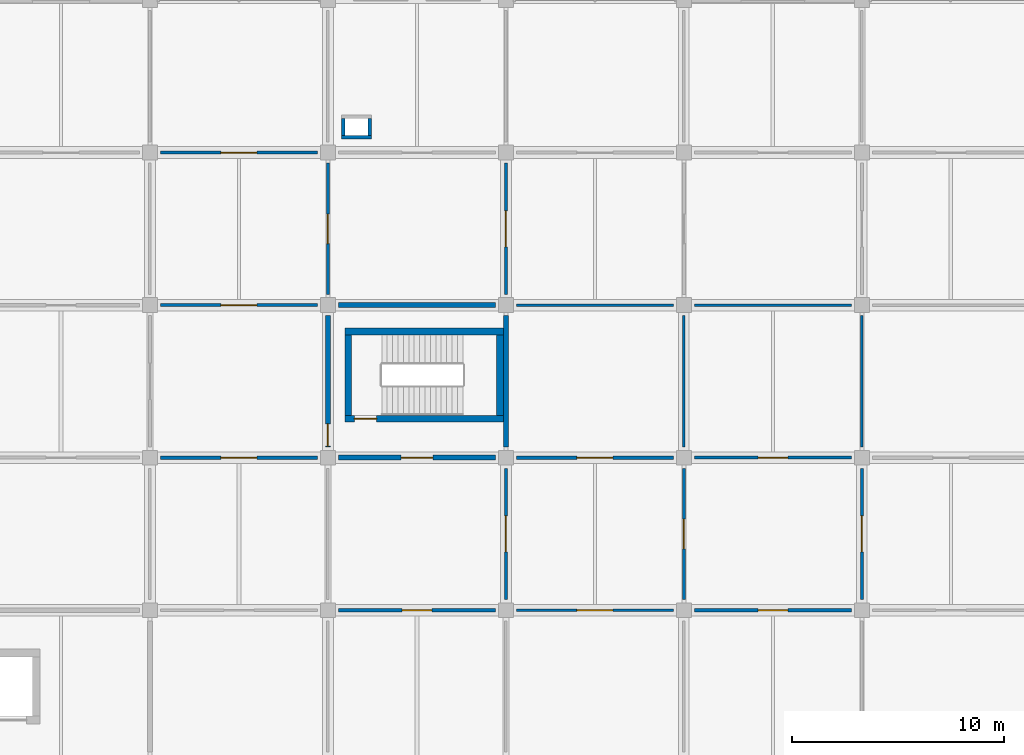
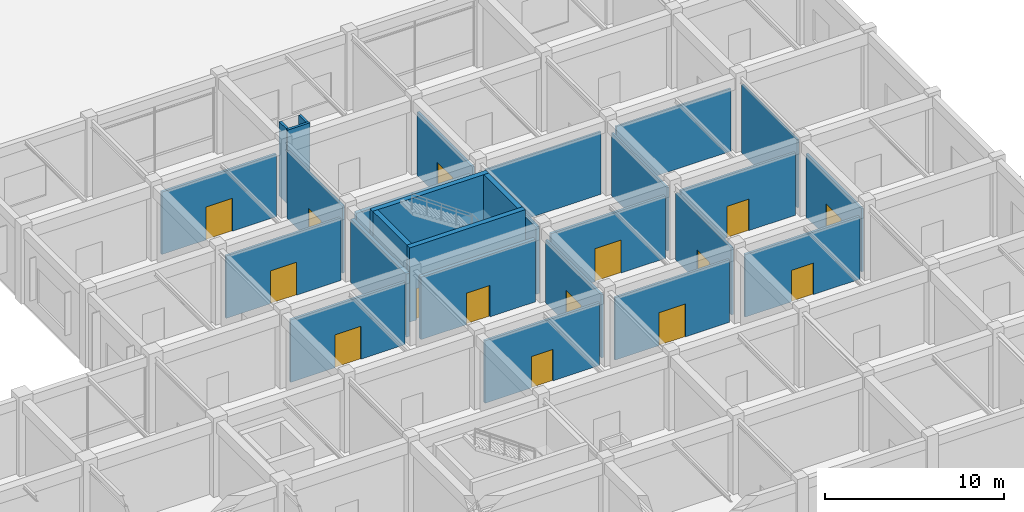
# One storey, part 29 of 41: 28 walls, 16 doors, 16 openings.
"""IFC4 building model written with IfcOpenShell, lengths in metres."""

import ifcopenshell
import ifcopenshell.guid

model = None  # the IFC model being written
_history = None  # IfcOwnerHistory: only IFC2X3 demands one
_inside = {}  # id of a spatial element -> (the spatial element, [elements in it])
_under = {}  # id of a project, library or spatial element -> (it, [spatial elements below it])
_declared = {}  # id of a project -> (the project, [libraries it declares])
_typed = {}  # id of a type object -> (the type object, [elements of that type])
_made_of = {}  # id of a material, layer set ... -> (it, [elements and type objects made of it])


def new_model(schema):
    """Start an empty IFC model of exactly this schema.

    Asked for "IFC4X3", IfcOpenShell would pick the latest addendum, in which some entities
    have other attributes; the version numbers below select the first issue.
    IFC2X3 requires an IfcOwnerHistory on every rooted entity: one is made here for all.
    """
    global model, _history
    if schema == "IFC4X3":
        model = ifcopenshell.file(schema_version=(4, 3, 0, 0))
    else:
        model = ifcopenshell.file(schema=schema)
    _inside.clear()
    _under.clear()
    _declared.clear()
    _typed.clear()
    _made_of.clear()
    _history = None
    if model.schema == "IFC2X3":
        org = make("IfcOrganization", Name="unknown")
        user = make(
            "IfcPersonAndOrganization",
            ThePerson=make("IfcPerson", FamilyName="unknown"),
            TheOrganization=org,
        )
        app = make(
            "IfcApplication",
            ApplicationDeveloper=org,
            Version="unknown",
            ApplicationFullName="unknown",
            ApplicationIdentifier="unknown",
        )
        _history = make(
            "IfcOwnerHistory",
            OwningUser=user,
            OwningApplication=app,
            ChangeAction="ADDED",
            CreationDate=0,
        )
    return model


def make(cls, **values):
    """One entity of the class cls with the attributes given. An attribute that is None is left unset."""
    return model.create_entity(
        cls, **{name: value for name, value in values.items() if value is not None}
    )


def rooted(cls, **values):
    """An entity with a GlobalId (a new one), such as an element, a storey or a relation."""
    return make(cls, GlobalId=ifcopenshell.guid.new(), OwnerHistory=_history, **values)


def si_unit(unit_type, name, prefix=None):
    """IfcSIUnit, for example si_unit("LENGTHUNIT", "METRE", prefix="MILLI")."""
    return make("IfcSIUnit", UnitType=unit_type, Prefix=prefix, Name=name)


def derived_unit(unit_type, elements):
    """IfcDerivedUnit: a product of units, each with its exponent."""
    return make(
        "IfcDerivedUnit",
        Elements=[
            make("IfcDerivedUnitElement", Unit=unit, Exponent=power)
            for unit, power in elements
        ],
        UnitType=unit_type,
    )


def assignment(units):
    """IfcUnitAssignment: the units of a project."""
    return None if units is None else make("IfcUnitAssignment", Units=units)


def point(xyz):
    """IfcCartesianPoint."""
    return None if xyz is None else make("IfcCartesianPoint", Coordinates=xyz)


def direction(xyz):
    """IfcDirection."""
    return None if xyz is None else make("IfcDirection", DirectionRatios=xyz)


def frame(location, z_axis=None, x_axis=None):
    """IfcAxis2Placement3D, a coordinate frame: its origin and axes. An axis left out is left unset."""
    return make(
        "IfcAxis2Placement3D",
        Location=point(location),
        Axis=direction(z_axis),
        RefDirection=direction(x_axis),
    )


def frame_2d(location, x_axis=None):
    """IfcAxis2Placement2D, a coordinate frame in the plane: its origin and x axis."""
    return make(
        "IfcAxis2Placement2D", Location=point(location), RefDirection=direction(x_axis)
    )


def origin():
    """The frame at (0, 0, 0) with its axes left unset."""
    return frame((0.0, 0.0, 0.0))


def place(relative_to, where):
    """IfcLocalPlacement: puts the frame where relative to a parent placement (None: the world)."""
    return make(
        "IfcLocalPlacement", PlacementRelTo=relative_to, RelativePlacement=where
    )


def context(
    kind, dimensions, precision=None, world=None, true_north=None, identifier=None
):
    """IfcGeometricRepresentationContext, for example the 3D "Model" context."""
    return make(
        "IfcGeometricRepresentationContext",
        ContextIdentifier=identifier,
        ContextType=kind,
        CoordinateSpaceDimension=dimensions,
        Precision=precision,
        WorldCoordinateSystem=world,
        TrueNorth=true_north,
    )


def subcontext(parent, identifier, kind, view, scale=None):
    """IfcGeometricRepresentationSubContext, for example "Body" below "Model"."""
    return make(
        "IfcGeometricRepresentationSubContext",
        ContextIdentifier=identifier,
        ContextType=kind,
        ParentContext=parent,
        TargetScale=scale,
        TargetView=view,
    )


def project(units=None, contexts=None):
    """IfcProject with its units and contexts."""
    return rooted(
        "IfcProject",
        Name="project",
        RepresentationContexts=contexts,
        UnitsInContext=assignment(units),
    )


def spatial(cls, under=None, at=None, **own):
    """A site, building, storey or space (cls), placed at a placement, below another one or the project."""
    s = rooted(cls, ObjectPlacement=at, **own)
    if under is not None:
        _under.setdefault(under.id(), (under, []))[1].append(s)
    return s


def profile(cls, at=None, kind="AREA", **sizes):
    """A parametric profile (cls). Its sizes go by their IFC names, for example OverallWidth=200.0."""
    return make(cls, ProfileType=kind, Position=at, **sizes)


def rectangle(**sizes):
    """IfcRectangleProfileDef."""
    return profile("IfcRectangleProfileDef", **sizes)


def extrude(swept, where, along, depth):
    """IfcExtrudedAreaSolid: the profile swept, set in the frame where, extruded along a direction by depth."""
    return make(
        "IfcExtrudedAreaSolid",
        SweptArea=swept,
        Position=where,
        ExtrudedDirection=direction(along),
        Depth=depth,
    )


def shape(context_of_items, identifier, shape_type, items):
    """IfcShapeRepresentation: the items that make up one representation, for example the "Body"."""
    return make(
        "IfcShapeRepresentation",
        ContextOfItems=context_of_items,
        RepresentationIdentifier=identifier,
        RepresentationType=shape_type,
        Items=items,
    )


def material(Name=None, Category=None):
    """IfcMaterial."""
    return make("IfcMaterial", Name=Name, Category=Category)


def layer(
    of_material, thickness, ventilated=None, Name=None, Category=None, Priority=None
):
    """IfcMaterialLayer: one layer of a wall or slab, of a material (None: an air gap)."""
    return make(
        "IfcMaterialLayer",
        Material=of_material,
        LayerThickness=thickness,
        IsVentilated=ventilated,
        Name=Name,
        Category=Category,
        Priority=Priority,
    )


def layer_set(layers, Name=None):
    """IfcMaterialLayerSet."""
    return make("IfcMaterialLayerSet", MaterialLayers=layers, LayerSetName=Name)


def made_of(thing, what):
    """Note that an element or type object is made of a material, layer set ...; save() writes the relation."""
    if what is not None:
        _made_of.setdefault(what.id(), (what, []))[1].append(thing)
    return thing


def type_object(cls, material=None, **own):
    """A type object (cls), such as IfcWallType, which elements share."""
    return made_of(rooted(cls, **own), material)


def element(
    cls,
    number,
    at=None,
    inside=None,
    cuts=None,
    type_object=None,
    material=None,
    context=None,
    identifier="Body",
    shape_type=None,
    held_by="IfcProductDefinitionShape",
    body=None,
    shapes=None,
    **own,
):
    """One element of the class cls, such as IfcWall. Its Tag is "e" and its number.

    at: its placement. inside: the storey or other place that contains it. cuts: it is an
    opening in that element (IfcRelVoidsElement). A single representation is given by context,
    identifier, shape_type and body (its items); several are given by shapes. held_by: the class
    of the entity that holds the representations. save() writes the other relations.
    """
    e = rooted(cls, Tag="e%d" % number, ObjectPlacement=at, **own)
    if body is not None:
        shapes = [shape(context, identifier, shape_type, body)]
    if shapes is not None:
        e.Representation = make(held_by, Representations=shapes)
    if inside is not None:
        _inside.setdefault(inside.id(), (inside, []))[1].append(e)
    if cuts is not None:
        rooted(
            "IfcRelVoidsElement", RelatingBuildingElement=cuts, RelatedOpeningElement=e
        )
    if type_object is not None:
        _typed.setdefault(type_object.id(), (type_object, []))[1].append(e)
    return made_of(e, material)


def fill(opening, filler):
    """IfcRelFillsElement: the door or window that sits in an opening."""
    return rooted(
        "IfcRelFillsElement",
        RelatingOpeningElement=opening,
        RelatedBuildingElement=filler,
    )


def aggregate(whole, parts):
    """IfcRelAggregates: a whole, such as a stair, and the parts it consists of."""
    return rooted("IfcRelAggregates", RelatingObject=whole, RelatedObjects=parts)


def save(model, path):
    """Write the relations noted so far, then the file.

    IfcRelAggregates (storeys below a building ...), IfcRelContainedInSpatialStructure (elements
    in a storey), IfcRelDefinesByType, IfcRelAssociatesMaterial and IfcRelDeclares: one each for
    every whole, place, type object, material and project.
    """
    for whole, parts in _under.values():
        aggregate(whole, parts)
    for where, things in _inside.values():
        rooted(
            "IfcRelContainedInSpatialStructure",
            RelatedElements=things,
            RelatingStructure=where,
        )
    for kind, things in _typed.values():
        rooted("IfcRelDefinesByType", RelatedObjects=things, RelatingType=kind)
    for what, things in _made_of.values():
        rooted("IfcRelAssociatesMaterial", RelatedObjects=things, RelatingMaterial=what)
    for by, libraries in _declared.values():
        rooted("IfcRelDeclares", RelatingContext=by, RelatedDefinitions=libraries)
    model.write(path)


model = new_model("IFC4")

# Units and contexts
model_context = context("Model", 3, precision=1e-05, world=origin(), true_north=direction((0.0, 1.0)))
body_context = subcontext(model_context, "Body", "Model", "MODEL_VIEW")
ifc_project = project(units=[si_unit("LENGTHUNIT", "METRE"), si_unit("AREAUNIT", "SQUARE_METRE"), si_unit("VOLUMEUNIT", "CUBIC_METRE"), si_unit("PLANEANGLEUNIT", "RADIAN"), si_unit("MASSUNIT", "GRAM", prefix="KILO"), derived_unit("THERMALTRANSMITTANCEUNIT", [(si_unit("MASSUNIT", "GRAM", prefix="KILO"), 1), (si_unit("TIMEUNIT", "SECOND"), -3), (si_unit("THERMODYNAMICTEMPERATUREUNIT", "KELVIN"), -1)])], contexts=[model_context])

# Site, building, storey
site_placement = place(None, origin())
site = spatial("IfcSite", under=ifc_project, at=site_placement, CompositionType="ELEMENT")
building_placement = place(site_placement, origin())
building = spatial("IfcBuilding", under=site, at=building_placement, Name="Veldstrom Oceanarium and Marine Research Institute", CompositionType="ELEMENT")
storey_placement = place(building_placement, frame((0.0, 0.0, 6.0)))
storey = spatial("IfcBuildingStorey", under=building, at=storey_placement, Name="L01", CompositionType="ELEMENT", Elevation=6.0)

# Wall, opening, door
ifc_material_1 = material(Name="Masonry Fire Compartment Wall", Category="masonry")
ifc_layer_1 = layer(ifc_material_1, 0.22998046875)
ifc_layer_set_1 = layer_set([ifc_layer_1], Name="ARC-WAL-PT1")
wall_type_1 = type_object("IfcWallType", Name="ARC-WAL-PT1", PredefinedType="PARTITIONING", material=ifc_layer_set_1)
wall_1_placement = place(storey_placement, frame((134.39990234375, 72.5, 0.0), z_axis=(0.0, 0.0, 1.0), x_axis=(0.0, 1.0, 0.0)))
wall_1 = element("IfcWall", 1, at=wall_1_placement, inside=storey, type_object=wall_type_1, Name="Interior Partition PT1 L01-1006", PredefinedType="PARTITIONING", context=body_context, shape_type="SweptSolid", body=[
    extrude(rectangle(XDim=6.199951171875, YDim=0.22998046875, at=frame_2d((3.10009765625, 0.0))), origin(), (0.0, 0.0, 1.0), 4.320068359375),
])
opening_1_placement = place(wall_1_placement, frame((0.050048828125, 0.0, 0.0)))
opening_1 = element("IfcOpeningElement", 2, at=opening_1_placement, cuts=wall_1, Name="Opening D-L01-583", PredefinedType="OPENING", context=body_context, shape_type="SweptSolid", body=[
    extrude(rectangle(XDim=1.050048828125, YDim=2.14990234375, at=frame_2d((0.52490234375, 1.074951171875))), frame((0.0, 0.125, 0.0), z_axis=(0.0, -1.0, 0.0), x_axis=(1.0, 0.0, 0.0)), (0.0, 0.0, 1.0), 0.25),
])
ifc_material_2 = material(Name="Painted Steel Fire Door", Category="steel")
door_type_1 = type_object("IfcDoorType", Name="ARC-DOR-SD1", OperationType="SINGLE_SWING_LEFT", PredefinedType="DOOR", material=ifc_material_2)
door_1_placement = place(opening_1_placement, origin())
door_1 = element("IfcDoor", 3, at=door_1_placement, inside=storey, type_object=door_type_1, Name="Interior Door D-L01-583", OperationType="SINGLE_SWING_LEFT", OverallHeight=2.14990234375, OverallWidth=1.050048828125, PredefinedType="DOOR", context=body_context, shape_type="SweptSolid", body=[
    extrude(rectangle(XDim=1.050048828125, YDim=2.14990234375, at=frame_2d((0.52490234375, 1.074951171875))), frame((0.0, 0.02490234375, 0.0), z_axis=(0.0, -1.0, 0.0), x_axis=(1.0, 0.0, 0.0)), (0.0, 0.0, 1.0), 0.050048828125),
])
fill(opening_1, door_1)

wall_2_placement = place(storey_placement, frame((134.89990234375, 72.0, 0.0), z_axis=(0.0, 0.0, 1.0), x_axis=(1.0, 0.0, 0.0)))
wall_2 = element("IfcWall", 4, at=wall_2_placement, inside=storey, type_object=wall_type_1, Name="Interior Partition PT1 L01-1018", PredefinedType="PARTITIONING", context=body_context, shape_type="SweptSolid", body=[
    extrude(rectangle(XDim=7.400146484375, YDim=0.22998046875, at=frame_2d((3.7001953125, 0.0))), origin(), (0.0, 0.0, 1.0), 4.27001953125),
])
opening_2_placement = place(wall_2_placement, frame((2.949951171875, 0.0, 0.0)))
opening_2 = element("IfcOpeningElement", 5, at=opening_2_placement, cuts=wall_2, Name="Opening D-L01-591", PredefinedType="OPENING", context=body_context, shape_type="SweptSolid", body=[
    extrude(rectangle(XDim=1.5, YDim=2.14990234375, at=frame_2d((0.75, 1.074951171875))), frame((0.0, 0.125, 0.0), z_axis=(0.0, -1.0, 0.0), x_axis=(1.0, 0.0, 0.0)), (0.0, 0.0, 1.0), 0.25),
])
ifc_material_3 = material(Name="Painted Steel Lobby Fire Door", Category="steel")
door_type_2 = type_object("IfcDoorType", Name="ARC-DOR-SD2", OperationType="DOUBLE_DOOR_SINGLE_SWING", PredefinedType="DOOR", material=ifc_material_3)
door_2_placement = place(opening_2_placement, frame((1.5, 0.0, 0.0), z_axis=(0.0, 0.0, 1.0), x_axis=(-1.0, 0.0, 0.0)))
door_2 = element("IfcDoor", 6, at=door_2_placement, inside=storey, type_object=door_type_2, Name="Interior Door D-L01-591", OperationType="DOUBLE_DOOR_SINGLE_SWING", OverallHeight=2.14990234375, OverallWidth=1.5, PredefinedType="DOOR", context=body_context, shape_type="SweptSolid", body=[
    extrude(rectangle(XDim=1.5, YDim=2.14990234375, at=frame_2d((0.75, 1.074951171875))), frame((0.0, 0.02490234375, 0.0), z_axis=(0.0, -1.0, 0.0), x_axis=(1.0, 0.0, 0.0)), (0.0, 0.0, 1.0), 0.050048828125),
])
fill(opening_2, door_2)

# Walls
wall_3_placement = place(storey_placement, frame((142.800048828125, 72.5, 0.0), z_axis=(0.0, 0.0, 1.0), x_axis=(0.0, 1.0, 0.0)))
element("IfcWall", 7, at=wall_3_placement, inside=storey, type_object=wall_type_1, Name="Interior Partition PT1 L01-1019", PredefinedType="PARTITIONING", context=body_context, shape_type="SweptSolid", body=[
    extrude(rectangle(XDim=6.199951171875, YDim=0.22998046875, at=frame_2d((3.10009765625, 0.0))), origin(), (0.0, 0.0, 1.0), 4.570068359375),
])
wall_4_placement = place(storey_placement, frame((134.89990234375, 79.199951171875, 0.0), z_axis=(0.0, 0.0, 1.0), x_axis=(1.0, 0.0, 0.0)))
element("IfcWall", 8, at=wall_4_placement, inside=storey, type_object=wall_type_1, Name="Interior Partition PT1 L01-1020", PredefinedType="PARTITIONING", context=body_context, shape_type="SweptSolid", body=[
    extrude(rectangle(XDim=7.400146484375, YDim=0.22998046875, at=frame_2d((3.7001953125, 0.0))), origin(), (0.0, 0.0, 1.0), 4.27001953125),
])

# Wall, opening, door
ifc_material_4 = material(Name="Drywall Corridor Partition", Category="gypsum")
ifc_layer_2 = layer(ifc_material_4, 0.155029296875)
ifc_layer_set_2 = layer_set([ifc_layer_2], Name="ARC-WAL-PT4")
wall_type_2 = type_object("IfcWallType", Name="ARC-WAL-PT4", PredefinedType="PARTITIONING", material=ifc_layer_set_2)
wall_5_placement = place(storey_placement, frame((126.5, 72.0, 0.0), z_axis=(0.0, 0.0, 1.0), x_axis=(1.0, 0.0, 0.0)))
wall_5 = element("IfcWall", 9, at=wall_5_placement, inside=storey, type_object=wall_type_2, Name="Interior Partition PT4 L01-1005", PredefinedType="PARTITIONING", context=body_context, shape_type="SweptSolid", body=[
    extrude(rectangle(XDim=7.39990234375, YDim=0.155029296875, at=frame_2d((3.699951171875, 0.0))), origin(), (0.0, 0.0, 1.0), 4.27001953125),
])
opening_3_placement = place(wall_5_placement, frame((2.85009765625, 0.0, 0.0)))
opening_3 = element("IfcOpeningElement", 10, at=opening_3_placement, cuts=wall_5, Name="Opening D-L01-582", PredefinedType="OPENING", context=body_context, shape_type="SweptSolid", body=[
    extrude(rectangle(XDim=1.699951171875, YDim=2.25, at=frame_2d((0.85009765625, 1.125))), frame((0.0, 0.08740234375, 0.0), z_axis=(0.0, -1.0, 0.0), x_axis=(1.0, 0.0, 0.0)), (0.0, 0.0, 1.0), 0.175048828125),
])
ifc_material_5 = material(Name="Symposium Auditorium Door", Category="timber")
door_type_3 = type_object("IfcDoorType", Name="ARC-DOR-ID13", OperationType="DOUBLE_DOOR_SINGLE_SWING", PredefinedType="DOOR", material=ifc_material_5)
door_3_placement = place(opening_3_placement, frame((1.699951171875, 0.0, 0.0), z_axis=(0.0, 0.0, 1.0), x_axis=(-1.0, 0.0, 0.0)))
door_3 = element("IfcDoor", 11, at=door_3_placement, inside=storey, type_object=door_type_3, Name="Interior Door D-L01-582", OperationType="DOUBLE_DOOR_SINGLE_SWING", OverallHeight=2.25, OverallWidth=1.699951171875, PredefinedType="DOOR", context=body_context, shape_type="SweptSolid", body=[
    extrude(rectangle(XDim=1.699951171875, YDim=2.25, at=frame_2d((0.85009765625, 1.125))), frame((0.0, 0.02490234375, 0.0), z_axis=(0.0, -1.0, 0.0), x_axis=(1.0, 0.0, 0.0)), (0.0, 0.0, 1.0), 0.050048828125),
])
fill(opening_3, door_3)

wall_6_placement = place(storey_placement, frame((134.39990234375, 79.699951171875, 0.0), z_axis=(0.0, 0.0, 1.0), x_axis=(0.0, 1.0, 0.0)))
wall_6 = element("IfcWall", 12, at=wall_6_placement, inside=storey, type_object=wall_type_2, Name="Interior Partition PT4 L01-1008", PredefinedType="PARTITIONING", context=body_context, shape_type="SweptSolid", body=[
    extrude(rectangle(XDim=6.199951171875, YDim=0.155029296875, at=frame_2d((3.10009765625, 0.0))), origin(), (0.0, 0.0, 1.0), 4.570068359375),
])
opening_4_placement = place(wall_6_placement, frame((2.39990234375, 0.0, 0.0)))
opening_4 = element("IfcOpeningElement", 13, at=opening_4_placement, cuts=wall_6, Name="Opening D-L01-585", PredefinedType="OPENING", context=body_context, shape_type="SweptSolid", body=[
    extrude(rectangle(XDim=1.39990234375, YDim=2.14990234375, at=frame_2d((0.699951171875, 1.074951171875))), frame((0.0, 0.08740234375, 0.0), z_axis=(0.0, -1.0, 0.0), x_axis=(1.0, 0.0, 0.0)), (0.0, 0.0, 1.0), 0.175048828125),
])
ifc_material_6 = material(Name="Education Classroom Door", Category="timber")
door_type_4 = type_object("IfcDoorType", Name="ARC-DOR-ID04", OperationType="DOUBLE_DOOR_SINGLE_SWING", PredefinedType="DOOR", material=ifc_material_6)
door_4_placement = place(opening_4_placement, origin())
door_4 = element("IfcDoor", 14, at=door_4_placement, inside=storey, type_object=door_type_4, Name="Interior Door D-L01-585", OperationType="DOUBLE_DOOR_SINGLE_SWING", OverallHeight=2.14990234375, OverallWidth=1.39990234375, PredefinedType="DOOR", context=body_context, shape_type="SweptSolid", body=[
    extrude(rectangle(XDim=1.39990234375, YDim=2.14990234375, at=frame_2d((0.699951171875, 1.074951171875))), frame((0.0, 0.02490234375, 0.0), z_axis=(0.0, -1.0, 0.0), x_axis=(1.0, 0.0, 0.0)), (0.0, 0.0, 1.0), 0.050048828125),
])
fill(opening_4, door_4)

wall_7_placement = place(storey_placement, frame((126.5, 86.39990234375, 0.0), z_axis=(0.0, 0.0, 1.0), x_axis=(1.0, 0.0, 0.0)))
wall_7 = element("IfcWall", 15, at=wall_7_placement, inside=storey, type_object=wall_type_2, Name="Interior Partition PT4 L01-1009", PredefinedType="PARTITIONING", context=body_context, shape_type="SweptSolid", body=[
    extrude(rectangle(XDim=7.39990234375, YDim=0.155029296875, at=frame_2d((3.699951171875, 0.0))), origin(), (0.0, 0.0, 1.0), 4.27001953125),
])
opening_5_placement = place(wall_7_placement, frame((2.85009765625, 0.0, 0.0)))
opening_5 = element("IfcOpeningElement", 16, at=opening_5_placement, cuts=wall_7, Name="Opening D-L01-586", PredefinedType="OPENING", context=body_context, shape_type="SweptSolid", body=[
    extrude(rectangle(XDim=1.699951171875, YDim=2.25, at=frame_2d((0.85009765625, 1.125))), frame((0.0, 0.08740234375, 0.0), z_axis=(0.0, -1.0, 0.0), x_axis=(1.0, 0.0, 0.0)), (0.0, 0.0, 1.0), 0.175048828125),
])
door_5_placement = place(opening_5_placement, frame((1.699951171875, 0.0, 0.0), z_axis=(0.0, 0.0, 1.0), x_axis=(-1.0, 0.0, 0.0)))
door_5 = element("IfcDoor", 17, at=door_5_placement, inside=storey, type_object=door_type_3, Name="Interior Door D-L01-586", OperationType="DOUBLE_DOOR_SINGLE_SWING", OverallHeight=2.25, OverallWidth=1.699951171875, PredefinedType="DOOR", context=body_context, shape_type="SweptSolid", body=[
    extrude(rectangle(XDim=1.699951171875, YDim=2.25, at=frame_2d((0.85009765625, 1.125))), frame((0.0, 0.02490234375, 0.0), z_axis=(0.0, -1.0, 0.0), x_axis=(1.0, 0.0, 0.0)), (0.0, 0.0, 1.0), 0.050048828125),
])
fill(opening_5, door_5)

wall_8_placement = place(storey_placement, frame((134.89990234375, 64.800048828125, 0.0), z_axis=(0.0, 0.0, 1.0), x_axis=(1.0, 0.0, 0.0)))
wall_8 = element("IfcWall", 18, at=wall_8_placement, inside=storey, type_object=wall_type_2, Name="Interior Partition PT4 L01-1016", PredefinedType="PARTITIONING", context=body_context, shape_type="SweptSolid", body=[
    extrude(rectangle(XDim=7.400146484375, YDim=0.155029296875, at=frame_2d((3.7001953125, 0.0))), origin(), (0.0, 0.0, 1.0), 4.27001953125),
])
opening_6_placement = place(wall_8_placement, frame((3.0, 0.0, 0.0)))
opening_6 = element("IfcOpeningElement", 19, at=opening_6_placement, cuts=wall_8, Name="Opening D-L01-589", PredefinedType="OPENING", context=body_context, shape_type="SweptSolid", body=[
    extrude(rectangle(XDim=1.39990234375, YDim=2.14990234375, at=frame_2d((0.699951171875, 1.074951171875))), frame((0.0, 0.08740234375, 0.0), z_axis=(0.0, -1.0, 0.0), x_axis=(1.0, 0.0, 0.0)), (0.0, 0.0, 1.0), 0.175048828125),
])
door_6_placement = place(opening_6_placement, frame((1.39990234375, 0.0, 0.0), z_axis=(0.0, 0.0, 1.0), x_axis=(-1.0, 0.0, 0.0)))
door_6 = element("IfcDoor", 20, at=door_6_placement, inside=storey, type_object=door_type_4, Name="Interior Door D-L01-589", OperationType="DOUBLE_DOOR_SINGLE_SWING", OverallHeight=2.14990234375, OverallWidth=1.39990234375, PredefinedType="DOOR", context=body_context, shape_type="SweptSolid", body=[
    extrude(rectangle(XDim=1.39990234375, YDim=2.14990234375, at=frame_2d((0.699951171875, 1.074951171875))), frame((0.0, 0.02490234375, 0.0), z_axis=(0.0, -1.0, 0.0), x_axis=(1.0, 0.0, 0.0)), (0.0, 0.0, 1.0), 0.050048828125),
])
fill(opening_6, door_6)

wall_9_placement = place(storey_placement, frame((151.199951171875, 65.300048828125, 0.0), z_axis=(0.0, 0.0, 1.0), x_axis=(0.0, 1.0, 0.0)))
wall_9 = element("IfcWall", 21, at=wall_9_placement, inside=storey, type_object=wall_type_2, Name="Interior Partition PT4 L01-1030", PredefinedType="PARTITIONING", context=body_context, shape_type="SweptSolid", body=[
    extrude(rectangle(XDim=6.199951171875, YDim=0.155029296875, at=frame_2d((3.10009765625, 0.0))), origin(), (0.0, 0.0, 1.0), 4.570068359375),
])
opening_7_placement = place(wall_9_placement, frame((2.39990234375, 0.0, 0.0)))
opening_7 = element("IfcOpeningElement", 22, at=opening_7_placement, cuts=wall_9, Name="Opening D-L01-597", PredefinedType="OPENING", context=body_context, shape_type="SweptSolid", body=[
    extrude(rectangle(XDim=1.39990234375, YDim=2.14990234375, at=frame_2d((0.699951171875, 1.074951171875))), frame((0.0, 0.08740234375, 0.0), z_axis=(0.0, -1.0, 0.0), x_axis=(1.0, 0.0, 0.0)), (0.0, 0.0, 1.0), 0.175048828125),
])
door_7_placement = place(opening_7_placement, origin())
door_7 = element("IfcDoor", 23, at=door_7_placement, inside=storey, type_object=door_type_4, Name="Interior Door D-L01-597", OperationType="DOUBLE_DOOR_SINGLE_SWING", OverallHeight=2.14990234375, OverallWidth=1.39990234375, PredefinedType="DOOR", context=body_context, shape_type="SweptSolid", body=[
    extrude(rectangle(XDim=1.39990234375, YDim=2.14990234375, at=frame_2d((0.699951171875, 1.074951171875))), frame((0.0, 0.02490234375, 0.0), z_axis=(0.0, -1.0, 0.0), x_axis=(1.0, 0.0, 0.0)), (0.0, 0.0, 1.0), 0.050048828125),
])
fill(opening_7, door_7)

wall_10_placement = place(storey_placement, frame((143.300048828125, 72.0, 0.0), z_axis=(0.0, 0.0, 1.0), x_axis=(1.0, 0.0, 0.0)))
wall_10 = element("IfcWall", 24, at=wall_10_placement, inside=storey, type_object=wall_type_2, Name="Interior Partition PT4 L01-1031", PredefinedType="PARTITIONING", context=body_context, shape_type="SweptSolid", body=[
    extrude(rectangle(XDim=7.39990234375, YDim=0.155029296875, at=frame_2d((3.699951171875, 0.0))), origin(), (0.0, 0.0, 1.0), 4.27001953125),
])
opening_8_placement = place(wall_10_placement, frame((2.85009765625, 0.0, 0.0)))
opening_8 = element("IfcOpeningElement", 25, at=opening_8_placement, cuts=wall_10, Name="Opening D-L01-598", PredefinedType="OPENING", context=body_context, shape_type="SweptSolid", body=[
    extrude(rectangle(XDim=1.699951171875, YDim=2.25, at=frame_2d((0.85009765625, 1.125))), frame((0.0, 0.08740234375, 0.0), z_axis=(0.0, -1.0, 0.0), x_axis=(1.0, 0.0, 0.0)), (0.0, 0.0, 1.0), 0.175048828125),
])
door_8_placement = place(opening_8_placement, frame((1.699951171875, 0.0, 0.0), z_axis=(0.0, 0.0, 1.0), x_axis=(-1.0, 0.0, 0.0)))
door_8 = element("IfcDoor", 26, at=door_8_placement, inside=storey, type_object=door_type_3, Name="Interior Door D-L01-598", OperationType="DOUBLE_DOOR_SINGLE_SWING", OverallHeight=2.25, OverallWidth=1.699951171875, PredefinedType="DOOR", context=body_context, shape_type="SweptSolid", body=[
    extrude(rectangle(XDim=1.699951171875, YDim=2.25, at=frame_2d((0.85009765625, 1.125))), frame((0.0, 0.02490234375, 0.0), z_axis=(0.0, -1.0, 0.0), x_axis=(1.0, 0.0, 0.0)), (0.0, 0.0, 1.0), 0.050048828125),
])
fill(opening_8, door_8)

wall_11_placement = place(storey_placement, frame((151.699951171875, 64.800048828125, 0.0), z_axis=(0.0, 0.0, 1.0), x_axis=(1.0, 0.0, 0.0)))
wall_11 = element("IfcWall", 27, at=wall_11_placement, inside=storey, type_object=wall_type_2, Name="Interior Partition PT4 L01-1042", PredefinedType="PARTITIONING", context=body_context, shape_type="SweptSolid", body=[
    extrude(rectangle(XDim=7.400146484375, YDim=0.155029296875, at=frame_2d((3.7001953125, 0.0))), origin(), (0.0, 0.0, 1.0), 4.27001953125),
])
opening_9_placement = place(wall_11_placement, frame((3.0, 0.0, 0.0)))
opening_9 = element("IfcOpeningElement", 28, at=opening_9_placement, cuts=wall_11, Name="Opening D-L01-603", PredefinedType="OPENING", context=body_context, shape_type="SweptSolid", body=[
    extrude(rectangle(XDim=1.39990234375, YDim=2.14990234375, at=frame_2d((0.699951171875, 1.074951171875))), frame((0.0, 0.08740234375, 0.0), z_axis=(0.0, -1.0, 0.0), x_axis=(1.0, 0.0, 0.0)), (0.0, 0.0, 1.0), 0.175048828125),
])
door_9_placement = place(opening_9_placement, frame((1.39990234375, 0.0, 0.0), z_axis=(0.0, 0.0, 1.0), x_axis=(-1.0, 0.0, 0.0)))
door_9 = element("IfcDoor", 29, at=door_9_placement, inside=storey, type_object=door_type_4, Name="Interior Door D-L01-603", OperationType="DOUBLE_DOOR_SINGLE_SWING", OverallHeight=2.14990234375, OverallWidth=1.39990234375, PredefinedType="DOOR", context=body_context, shape_type="SweptSolid", body=[
    extrude(rectangle(XDim=1.39990234375, YDim=2.14990234375, at=frame_2d((0.699951171875, 1.074951171875))), frame((0.0, 0.02490234375, 0.0), z_axis=(0.0, -1.0, 0.0), x_axis=(1.0, 0.0, 0.0)), (0.0, 0.0, 1.0), 0.050048828125),
])
fill(opening_9, door_9)

ifc_material_7 = material(Name="Moisture-Resistant Wet-Area Partition", Category="masonry")
ifc_layer_3 = layer(ifc_material_7, 0.139892578125)
ifc_layer_set_3 = layer_set([ifc_layer_3], Name="ARC-WAL-PT5")
wall_type_3 = type_object("IfcWallType", Name="ARC-WAL-PT5", PredefinedType="PARTITIONING", material=ifc_layer_set_3)
wall_12_placement = place(storey_placement, frame((126.5, 79.199951171875, 0.0), z_axis=(0.0, 0.0, 1.0), x_axis=(1.0, 0.0, 0.0)))
wall_12 = element("IfcWall", 30, at=wall_12_placement, inside=storey, type_object=wall_type_3, Name="Interior Partition PT5 L01-1007", PredefinedType="PARTITIONING", context=body_context, shape_type="SweptSolid", body=[
    extrude(rectangle(XDim=7.39990234375, YDim=0.139892578125, at=frame_2d((3.699951171875, 0.0))), origin(), (0.0, 0.0, 1.0), 4.27001953125),
])
opening_10_placement = place(wall_12_placement, frame((2.85009765625, 0.0, 0.0)))
opening_10 = element("IfcOpeningElement", 31, at=opening_10_placement, cuts=wall_12, Name="Opening D-L01-584", PredefinedType="OPENING", context=body_context, shape_type="SweptSolid", body=[
    extrude(rectangle(XDim=1.699951171875, YDim=2.25, at=frame_2d((0.85009765625, 1.125))), frame((0.0, 0.079833984375, 0.0), z_axis=(0.0, -1.0, 0.0), x_axis=(1.0, 0.0, 0.0)), (0.0, 0.0, 1.0), 0.159912109375),
])
door_10_placement = place(opening_10_placement, origin())
door_10 = element("IfcDoor", 32, at=door_10_placement, inside=storey, type_object=door_type_3, Name="Interior Door D-L01-584", OperationType="DOUBLE_DOOR_SINGLE_SWING", OverallHeight=2.25, OverallWidth=1.699951171875, PredefinedType="DOOR", context=body_context, shape_type="SweptSolid", body=[
    extrude(rectangle(XDim=1.699951171875, YDim=2.25, at=frame_2d((0.85009765625, 1.125))), frame((0.0, 0.02490234375, 0.0), z_axis=(0.0, -1.0, 0.0), x_axis=(1.0, 0.0, 0.0)), (0.0, 0.0, 1.0), 0.050048828125),
])
fill(opening_10, door_10)

wall_13_placement = place(storey_placement, frame((142.800048828125, 65.300048828125, 0.0), z_axis=(0.0, 0.0, 1.0), x_axis=(0.0, 1.0, 0.0)))
wall_13 = element("IfcWall", 33, at=wall_13_placement, inside=storey, type_object=wall_type_3, Name="Interior Partition PT5 L01-1017", PredefinedType="PARTITIONING", context=body_context, shape_type="SweptSolid", body=[
    extrude(rectangle(XDim=6.199951171875, YDim=0.139892578125, at=frame_2d((3.10009765625, 0.0))), origin(), (0.0, 0.0, 1.0), 4.320068359375),
])
opening_11_placement = place(wall_13_placement, frame((2.25, 0.0, 0.0)))
opening_11 = element("IfcOpeningElement", 34, at=opening_11_placement, cuts=wall_13, Name="Opening D-L01-590", PredefinedType="OPENING", context=body_context, shape_type="SweptSolid", body=[
    extrude(rectangle(XDim=1.699951171875, YDim=2.25, at=frame_2d((0.85009765625, 1.125))), frame((0.0, 0.079833984375, 0.0), z_axis=(0.0, -1.0, 0.0), x_axis=(1.0, 0.0, 0.0)), (0.0, 0.0, 1.0), 0.159912109375),
])
door_11_placement = place(opening_11_placement, frame((1.699951171875, 0.0, 0.0), z_axis=(0.0, 0.0, 1.0), x_axis=(-1.0, 0.0, 0.0)))
door_11 = element("IfcDoor", 35, at=door_11_placement, inside=storey, type_object=door_type_3, Name="Interior Door D-L01-590", OperationType="DOUBLE_DOOR_SINGLE_SWING", OverallHeight=2.25, OverallWidth=1.699951171875, PredefinedType="DOOR", context=body_context, shape_type="SweptSolid", body=[
    extrude(rectangle(XDim=1.699951171875, YDim=2.25, at=frame_2d((0.85009765625, 1.125))), frame((0.0, 0.02490234375, 0.0), z_axis=(0.0, -1.0, 0.0), x_axis=(1.0, 0.0, 0.0)), (0.0, 0.0, 1.0), 0.050048828125),
])
fill(opening_11, door_11)

wall_14_placement = place(storey_placement, frame((142.800048828125, 79.699951171875, 0.0), z_axis=(0.0, 0.0, 1.0), x_axis=(0.0, 1.0, 0.0)))
wall_14 = element("IfcWall", 36, at=wall_14_placement, inside=storey, type_object=wall_type_3, Name="Interior Partition PT5 L01-1021", PredefinedType="PARTITIONING", context=body_context, shape_type="SweptSolid", body=[
    extrude(rectangle(XDim=6.199951171875, YDim=0.139892578125, at=frame_2d((3.10009765625, 0.0))), origin(), (0.0, 0.0, 1.0), 4.320068359375),
])
opening_12_placement = place(wall_14_placement, frame((2.25, 0.0, 0.0)))
opening_12 = element("IfcOpeningElement", 37, at=opening_12_placement, cuts=wall_14, Name="Opening D-L01-592", PredefinedType="OPENING", context=body_context, shape_type="SweptSolid", body=[
    extrude(rectangle(XDim=1.699951171875, YDim=2.25, at=frame_2d((0.85009765625, 1.125))), frame((0.0, 0.079833984375, 0.0), z_axis=(0.0, -1.0, 0.0), x_axis=(1.0, 0.0, 0.0)), (0.0, 0.0, 1.0), 0.159912109375),
])
door_12_placement = place(opening_12_placement, frame((1.699951171875, 0.0, 0.0), z_axis=(0.0, 0.0, 1.0), x_axis=(-1.0, 0.0, 0.0)))
door_12 = element("IfcDoor", 38, at=door_12_placement, inside=storey, type_object=door_type_3, Name="Interior Door D-L01-592", OperationType="DOUBLE_DOOR_SINGLE_SWING", OverallHeight=2.25, OverallWidth=1.699951171875, PredefinedType="DOOR", context=body_context, shape_type="SweptSolid", body=[
    extrude(rectangle(XDim=1.699951171875, YDim=2.25, at=frame_2d((0.85009765625, 1.125))), frame((0.0, 0.02490234375, 0.0), z_axis=(0.0, -1.0, 0.0), x_axis=(1.0, 0.0, 0.0)), (0.0, 0.0, 1.0), 0.050048828125),
])
fill(opening_12, door_12)

wall_15_placement = place(storey_placement, frame((143.300048828125, 64.800048828125, 0.0), z_axis=(0.0, 0.0, 1.0), x_axis=(1.0, 0.0, 0.0)))
wall_15 = element("IfcWall", 39, at=wall_15_placement, inside=storey, type_object=wall_type_3, Name="Interior Partition PT5 L01-1029", PredefinedType="PARTITIONING", context=body_context, shape_type="SweptSolid", body=[
    extrude(rectangle(XDim=7.39990234375, YDim=0.139892578125, at=frame_2d((3.699951171875, 0.0))), origin(), (0.0, 0.0, 1.0), 4.27001953125),
])
opening_13_placement = place(wall_15_placement, frame((2.85009765625, 0.0, 0.0)))
opening_13 = element("IfcOpeningElement", 40, at=opening_13_placement, cuts=wall_15, Name="Opening D-L01-596", PredefinedType="OPENING", context=body_context, shape_type="SweptSolid", body=[
    extrude(rectangle(XDim=1.699951171875, YDim=2.25, at=frame_2d((0.85009765625, 1.125))), frame((0.0, 0.079833984375, 0.0), z_axis=(0.0, -1.0, 0.0), x_axis=(1.0, 0.0, 0.0)), (0.0, 0.0, 1.0), 0.159912109375),
])
door_13_placement = place(opening_13_placement, origin())
door_13 = element("IfcDoor", 41, at=door_13_placement, inside=storey, type_object=door_type_3, Name="Interior Door D-L01-596", OperationType="DOUBLE_DOOR_SINGLE_SWING", OverallHeight=2.25, OverallWidth=1.699951171875, PredefinedType="DOOR", context=body_context, shape_type="SweptSolid", body=[
    extrude(rectangle(XDim=1.699951171875, YDim=2.25, at=frame_2d((0.85009765625, 1.125))), frame((0.0, 0.02490234375, 0.0), z_axis=(0.0, -1.0, 0.0), x_axis=(1.0, 0.0, 0.0)), (0.0, 0.0, 1.0), 0.050048828125),
])
fill(opening_13, door_13)

wall_16_placement = place(storey_placement, frame((159.60009765625, 65.300048828125, 0.0), z_axis=(0.0, 0.0, 1.0), x_axis=(0.0, 1.0, 0.0)))
wall_16 = element("IfcWall", 42, at=wall_16_placement, inside=storey, type_object=wall_type_3, Name="Interior Partition PT5 L01-1043", PredefinedType="PARTITIONING", context=body_context, shape_type="SweptSolid", body=[
    extrude(rectangle(XDim=6.199951171875, YDim=0.139892578125, at=frame_2d((3.10009765625, 0.0))), origin(), (0.0, 0.0, 1.0), 4.320068359375),
])
opening_14_placement = place(wall_16_placement, frame((2.25, 0.0, 0.0)))
opening_14 = element("IfcOpeningElement", 43, at=opening_14_placement, cuts=wall_16, Name="Opening D-L01-604", PredefinedType="OPENING", context=body_context, shape_type="SweptSolid", body=[
    extrude(rectangle(XDim=1.699951171875, YDim=2.25, at=frame_2d((0.85009765625, 1.125))), frame((0.0, 0.079833984375, 0.0), z_axis=(0.0, -1.0, 0.0), x_axis=(1.0, 0.0, 0.0)), (0.0, 0.0, 1.0), 0.159912109375),
])
door_14_placement = place(opening_14_placement, frame((1.699951171875, 0.0, 0.0), z_axis=(0.0, 0.0, 1.0), x_axis=(-1.0, 0.0, 0.0)))
door_14 = element("IfcDoor", 44, at=door_14_placement, inside=storey, type_object=door_type_3, Name="Interior Door D-L01-604", OperationType="DOUBLE_DOOR_SINGLE_SWING", OverallHeight=2.25, OverallWidth=1.699951171875, PredefinedType="DOOR", context=body_context, shape_type="SweptSolid", body=[
    extrude(rectangle(XDim=1.699951171875, YDim=2.25, at=frame_2d((0.85009765625, 1.125))), frame((0.0, 0.02490234375, 0.0), z_axis=(0.0, -1.0, 0.0), x_axis=(1.0, 0.0, 0.0)), (0.0, 0.0, 1.0), 0.050048828125),
])
fill(opening_14, door_14)

wall_17_placement = place(storey_placement, frame((151.699951171875, 72.0, 0.0), z_axis=(0.0, 0.0, 1.0), x_axis=(1.0, 0.0, 0.0)))
wall_17 = element("IfcWall", 45, at=wall_17_placement, inside=storey, type_object=wall_type_3, Name="Interior Partition PT5 L01-1044", PredefinedType="PARTITIONING", context=body_context, shape_type="SweptSolid", body=[
    extrude(rectangle(XDim=7.400146484375, YDim=0.139892578125, at=frame_2d((3.7001953125, 0.0))), origin(), (0.0, 0.0, 1.0), 4.27001953125),
])
opening_15_placement = place(wall_17_placement, frame((3.0, 0.0, 0.0)))
opening_15 = element("IfcOpeningElement", 46, at=opening_15_placement, cuts=wall_17, Name="Opening D-L01-605", PredefinedType="OPENING", context=body_context, shape_type="SweptSolid", body=[
    extrude(rectangle(XDim=1.39990234375, YDim=2.14990234375, at=frame_2d((0.699951171875, 1.074951171875))), frame((0.0, 0.079833984375, 0.0), z_axis=(0.0, -1.0, 0.0), x_axis=(1.0, 0.0, 0.0)), (0.0, 0.0, 1.0), 0.159912109375),
])
door_15_placement = place(opening_15_placement, origin())
door_15 = element("IfcDoor", 47, at=door_15_placement, inside=storey, type_object=door_type_4, Name="Interior Door D-L01-605", OperationType="DOUBLE_DOOR_SINGLE_SWING", OverallHeight=2.14990234375, OverallWidth=1.39990234375, PredefinedType="DOOR", context=body_context, shape_type="SweptSolid", body=[
    extrude(rectangle(XDim=1.39990234375, YDim=2.14990234375, at=frame_2d((0.699951171875, 1.074951171875))), frame((0.0, 0.02490234375, 0.0), z_axis=(0.0, -1.0, 0.0), x_axis=(1.0, 0.0, 0.0)), (0.0, 0.0, 1.0), 0.050048828125),
])
fill(opening_15, door_15)

# Walls
ifc_material_8 = material(Name="Lightweight Studio Partition", Category="gypsum")
ifc_layer_4 = layer(ifc_material_8, 0.1201171875)
ifc_layer_set_4 = layer_set([ifc_layer_4], Name="ARC-WAL-PT6")
wall_type_4 = type_object("IfcWallType", Name="ARC-WAL-PT6", PredefinedType="PARTITIONING", material=ifc_layer_set_4)
wall_18_placement = place(storey_placement, frame((151.199951171875, 72.5, 0.0), z_axis=(0.0, 0.0, 1.0), x_axis=(0.0, 1.0, 0.0)))
element("IfcWall", 48, at=wall_18_placement, inside=storey, type_object=wall_type_4, Name="Interior Partition PT6 L01-1032", PredefinedType="PARTITIONING", context=body_context, shape_type="SweptSolid", body=[
    extrude(rectangle(XDim=6.199951171875, YDim=0.1201171875, at=frame_2d((3.10009765625, 0.0))), origin(), (0.0, 0.0, 1.0), 4.320068359375),
])
wall_19_placement = place(storey_placement, frame((143.300048828125, 79.199951171875, 0.0), z_axis=(0.0, 0.0, 1.0), x_axis=(1.0, 0.0, 0.0)))
element("IfcWall", 49, at=wall_19_placement, inside=storey, type_object=wall_type_4, Name="Interior Partition PT6 L01-1033", PredefinedType="PARTITIONING", context=body_context, shape_type="SweptSolid", body=[
    extrude(rectangle(XDim=7.39990234375, YDim=0.1201171875, at=frame_2d((3.699951171875, 0.0))), origin(), (0.0, 0.0, 1.0), 4.27001953125),
])
wall_20_placement = place(storey_placement, frame((159.60009765625, 72.5, 0.0), z_axis=(0.0, 0.0, 1.0), x_axis=(0.0, 1.0, 0.0)))
element("IfcWall", 50, at=wall_20_placement, inside=storey, type_object=wall_type_4, Name="Interior Partition PT6 L01-1045", PredefinedType="PARTITIONING", context=body_context, shape_type="SweptSolid", body=[
    extrude(rectangle(XDim=6.199951171875, YDim=0.1201171875, at=frame_2d((3.10009765625, 0.0))), origin(), (0.0, 0.0, 1.0), 4.669921875),
])
wall_21_placement = place(storey_placement, frame((151.699951171875, 79.199951171875, 0.0), z_axis=(0.0, 0.0, 1.0), x_axis=(1.0, 0.0, 0.0)))
element("IfcWall", 51, at=wall_21_placement, inside=storey, type_object=wall_type_4, Name="Interior Partition PT6 L01-1046", PredefinedType="PARTITIONING", context=body_context, shape_type="SweptSolid", body=[
    extrude(rectangle(XDim=7.400146484375, YDim=0.1201171875, at=frame_2d((3.7001953125, 0.0))), origin(), (0.0, 0.0, 1.0), 4.27001953125),
])
ifc_material_9 = material(Name="Service Riser Fire Shaft Wall", Category="masonry")
ifc_layer_5 = layer(ifc_material_9, 0.1650390625)
ifc_layer_set_5 = layer_set([ifc_layer_5], Name="ARC-WAL-PT9")
wall_type_5 = type_object("IfcWallType", Name="ARC-WAL-PT9", PredefinedType="PARTITIONING", material=ifc_layer_set_5)
wall_22_placement = place(storey_placement, frame((135.034912109375, 87.117431640625, 0.0), z_axis=(0.0, 0.0, 1.0), x_axis=(1.0, 0.0, 0.0)))
element("IfcWall", 52, at=wall_22_placement, inside=storey, type_object=wall_type_5, Name="Service Riser Fire Shaft Wall L01-EN-S", PredefinedType="PARTITIONING", context=body_context, shape_type="SweptSolid", body=[
    extrude(rectangle(XDim=1.43017578125, YDim=0.1650390625, at=frame_2d((0.715087890625, 0.0))), origin(), (0.0, 0.0, 1.0), 5.074951171875),
])
for number, where, z_axis, x_axis, name in (
    (53, (135.117431640625, 87.199951171875, 0.0), (0.0, 0.0, 1.0), (0.0, 1.0, 0.0), "Service Riser Fire Shaft Wall L01-EN-W"),
    (54, (136.382568359375, 87.199951171875, 0.0), (0.0, 0.0, 1.0), (0.0, 1.0, 0.0), "Service Riser Fire Shaft Wall L01-EN-E"),
):
    element("IfcWall", number, at=place(storey_placement, frame(where, z_axis=z_axis, x_axis=x_axis)), inside=storey, type_object=wall_type_5, Name=name, PredefinedType="PARTITIONING", context=body_context, shape_type="SweptSolid", body=[
        extrude(rectangle(XDim=0.800048828125, YDim=0.1650390625, at=frame_2d((0.39990234375, 0.0))), origin(), (0.0, 0.0, 1.0), 5.074951171875),
    ])

# Wall, opening, door
ifc_material_10 = material(Name="Concrete C40/50", Category="concrete")
ifc_layer_6 = layer(ifc_material_10, 0.320068359375)
ifc_layer_set_6 = layer_set([ifc_layer_6], Name="STR-WAL-WC3")
wall_type_6 = type_object("IfcWallType", Name="STR-WAL-WC3", PredefinedType="SHEAR", material=ifc_layer_set_6)
wall_23_placement = place(storey_placement, frame((135.199951171875, 73.840087890625, 0.0), z_axis=(0.0, 0.0, 1.0), x_axis=(1.0, 0.0, 0.0)))
wall_23 = element("IfcWall", 55, at=wall_23_placement, inside=storey, type_object=wall_type_6, Name="Stair Core Shear Wall SC6-L01-S", PredefinedType="SHEAR", context=body_context, shape_type="SweptSolid", body=[
    extrude(rectangle(XDim=7.47998046875, YDim=0.320068359375, at=frame_2d((3.739990234375, 0.0))), origin(), (0.0, 0.0, 1.0), 5.074951171875),
])
opening_16_placement = place(wall_23_placement, frame((0.449951171875, 0.0, 0.0)))
opening_16 = element("IfcOpeningElement", 56, at=opening_16_placement, cuts=wall_23, Name="Opening D-ST6-L01", PredefinedType="OPENING", context=body_context, shape_type="SweptSolid", body=[
    extrude(rectangle(XDim=1.050048828125, YDim=2.14990234375, at=frame_2d((0.52490234375, 1.074951171875))), frame((0.0, 0.169921875, 0.0), z_axis=(0.0, -1.0, 0.0), x_axis=(1.0, 0.0, 0.0)), (0.0, 0.0, 1.0), 0.340087890625),
])
door_16_placement = place(opening_16_placement, origin())
door_16 = element("IfcDoor", 57, at=door_16_placement, inside=storey, type_object=door_type_1, Name="Escape Stair Fire Door D-ST6-L01", OperationType="SINGLE_SWING_LEFT", OverallHeight=2.14990234375, OverallWidth=1.050048828125, PredefinedType="DOOR", context=body_context, shape_type="SweptSolid", body=[
    extrude(rectangle(XDim=1.050048828125, YDim=2.14990234375, at=frame_2d((0.52490234375, 1.074951171875))), frame((0.0, 0.02490234375, 0.0), z_axis=(0.0, -1.0, 0.0), x_axis=(1.0, 0.0, 0.0)), (0.0, 0.0, 1.0), 0.050048828125),
])
fill(opening_16, door_16)

# Walls
wall_24_placement = place(storey_placement, frame((135.199951171875, 77.9599609375, 0.0), z_axis=(0.0, 0.0, 1.0), x_axis=(1.0, 0.0, 0.0)))
element("IfcWall", 58, at=wall_24_placement, inside=storey, type_object=wall_type_6, Name="Stair Core Shear Wall SC6-L01-N", PredefinedType="SHEAR", context=body_context, shape_type="SweptSolid", body=[
    extrude(rectangle(XDim=7.47998046875, YDim=0.320068359375, at=frame_2d((3.739990234375, 0.0))), origin(), (0.0, 0.0, 1.0), 5.074951171875),
])
for number, where, z_axis, x_axis, name in (
    (59, (135.360107421875, 74.0, 0.0), (0.0, 0.0, 1.0), (0.0, 1.0, 0.0), "Stair Core Shear Wall SC6-L01-W"),
    (60, (142.52001953125, 74.0, 0.0), (0.0, 0.0, 1.0), (0.0, 1.0, 0.0), "Stair Core Shear Wall SC6-L01-E"),
):
    element("IfcWall", number, at=place(storey_placement, frame(where, z_axis=z_axis, x_axis=x_axis)), inside=storey, type_object=wall_type_6, Name=name, PredefinedType="SHEAR", context=body_context, shape_type="SweptSolid", body=[
        extrude(rectangle(XDim=3.800048828125, YDim=0.320068359375, at=frame_2d((1.89990234375, 0.0))), origin(), (0.0, 0.0, 1.0), 5.074951171875),
    ])

save(model, "model.ifc")
